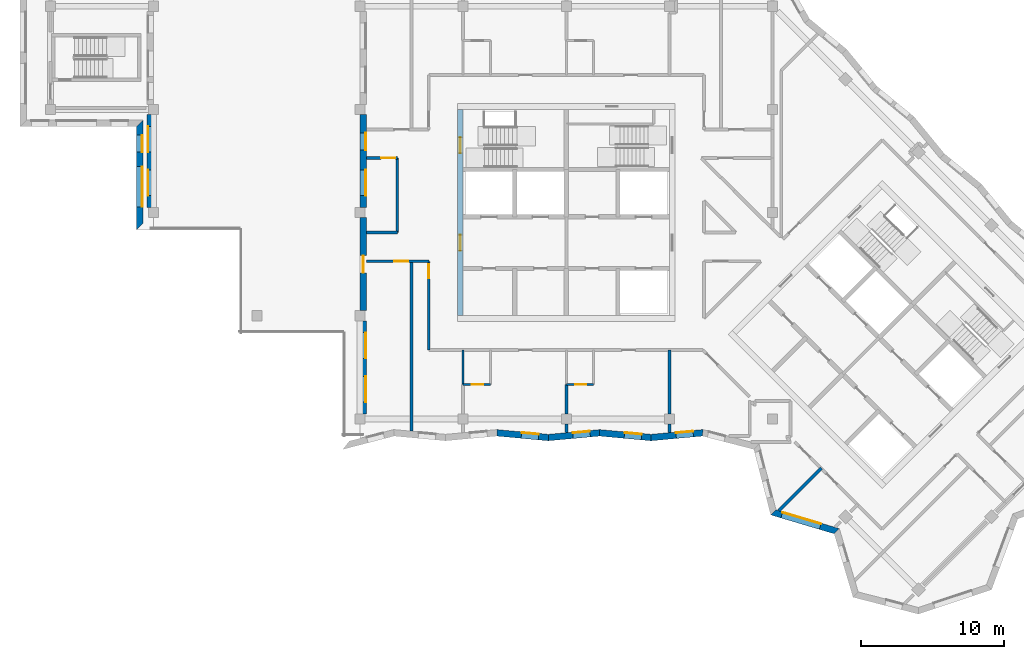
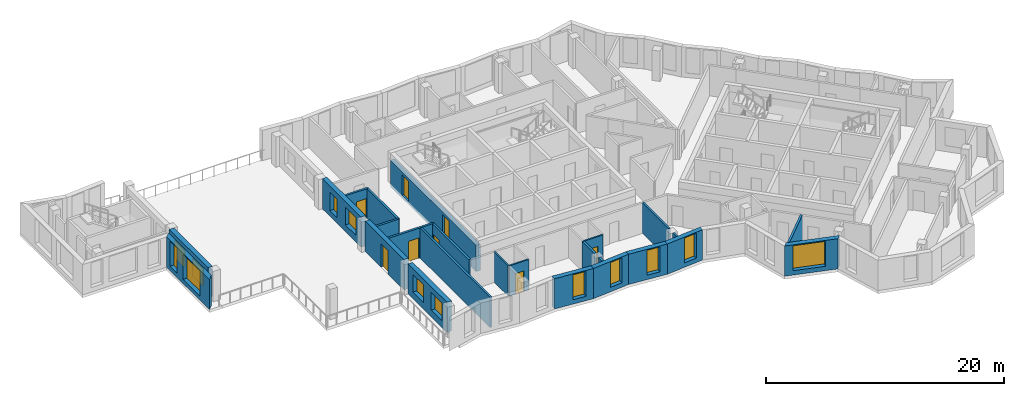
# One storey, part 2 of 12: 25 walls, 13 windows, 8 doors, 21 openings.
"""IFC4 building model written with IfcOpenShell, lengths in metres."""

from ifc_helpers import new_model, si_unit, direction, frame, frame_2d, origin, place, context, subcontext, project, spatial, polyline, rectangle, outline, extrude, material, layer, layer_set, type_object, element, fill, save


model = new_model("IFC4")

# Units and contexts
model_context = context("Model", 3, precision=1e-05, world=origin(), true_north=direction((0.0, 1.0)))
body_context = subcontext(model_context, "Body", "Model", "MODEL_VIEW")
ifc_project = project(units=[si_unit("LENGTHUNIT", "METRE"), si_unit("AREAUNIT", "SQUARE_METRE"), si_unit("VOLUMEUNIT", "CUBIC_METRE"), si_unit("PLANEANGLEUNIT", "RADIAN"), si_unit("MASSUNIT", "GRAM", prefix="KILO")], contexts=[model_context])

# Site, building, storey
site_placement = place(None, origin())
site = spatial("IfcSite", under=ifc_project, at=site_placement, CompositionType="ELEMENT")
building_placement = place(site_placement, origin())
building = spatial("IfcBuilding", under=site, at=building_placement, Name="Windrow Commons", CompositionType="ELEMENT")
storey_placement = place(building_placement, frame((0.0, 0.0, 247.2)))
storey = spatial("IfcBuildingStorey", under=building, at=storey_placement, Name="L67", CompositionType="ELEMENT", Elevation=247.2)

# Wall, openings, windows
ifc_material_1 = material(Name="Brick masonry, red clay brick", Category="masonry")
ifc_layer_1 = layer(ifc_material_1, 0.45)
ifc_layer_set_1 = layer_set([ifc_layer_1], Name="Brick facade wall 450")
wall_type_1 = type_object("IfcWallType", Name="Brick facade wall 450", PredefinedType="SOLIDWALL", material=ifc_layer_set_1)
wall_1_placement = place(storey_placement, frame((35.025, 63.825, 0.0), z_axis=(0.0, 0.0, 1.0), x_axis=(0.0, -1.0, 0.0)))
wall_1 = element("IfcWall", 1, at=wall_1_placement, inside=storey, type_object=wall_type_1, Name="Brick facade wall L67 33", PredefinedType="SOLIDWALL", context=body_context, shape_type="SweptSolid", body=[
    extrude(outline(polyline([(0.225, -0.225), (7.425, -0.225), (6.975, 0.225), (-0.225, 0.225), (0.225, -0.225)])), origin(), (0.0, 0.0, 1.0), 3.1),
])
opening_1_placement = place(wall_1_placement, frame((3.025, 0.0, 0.45)))
opening_1 = element("IfcOpeningElement", 2, at=opening_1_placement, cuts=wall_1, Name="Opening W1V", PredefinedType="OPENING", context=body_context, shape_type="SweptSolid", body=[
    extrude(rectangle(XDim=2.8, YDim=2.55, at=frame_2d((1.4, 1.275))), frame((0.0, 0.235, 0.0), z_axis=(0.0, -1.0, 0.0), x_axis=(1.0, 0.0, 0.0)), (0.0, 0.0, 1.0), 0.47),
])
opening_2_placement = place(wall_1_placement, frame((0.8125, 0.0, 0.45)))
opening_2 = element("IfcOpeningElement", 3, at=opening_2_placement, cuts=wall_1, Name="Opening W7F", PredefinedType="OPENING", context=body_context, shape_type="SweptSolid", body=[
    extrude(rectangle(XDim=1.2, YDim=2.55, at=frame_2d((0.6, 1.275))), frame((0.0, 0.235, 0.0), z_axis=(0.0, -1.0, 0.0), x_axis=(1.0, 0.0, 0.0)), (0.0, 0.0, 1.0), 0.47),
])
ifc_material_2 = material(Name="Clear float glass in anodised aluminium frame", Category="aluminium")
window_type_1 = type_object("IfcWindowType", Name="Window W1V bedroom 2800x2550", PartitioningType="SINGLE_PANEL", PredefinedType="WINDOW", material=ifc_material_2)
window_1_placement = place(opening_1_placement, origin())
window_1 = element("IfcWindow", 4, at=window_1_placement, inside=storey, type_object=window_type_1, Name="Window L67 33.1", OverallHeight=2.55, OverallWidth=2.8, PartitioningType="SINGLE_PANEL", PredefinedType="WINDOW", context=body_context, shape_type="SweptSolid", body=[
    extrude(rectangle(XDim=2.8, YDim=2.55, at=frame_2d((1.4, 1.275))), frame((0.0, 0.205, 0.0), z_axis=(0.0, -1.0, 0.0), x_axis=(1.0, 0.0, 0.0)), (0.0, 0.0, 1.0), 0.06),
])
fill(opening_1, window_1)
ifc_material_3 = material(Name="Clear float glass in anodised aluminium frame", Category="aluminium")
window_type_2 = type_object("IfcWindowType", Name="Window W7 notch 1200x2550", PartitioningType="SINGLE_PANEL", PredefinedType="WINDOW", material=ifc_material_3)
window_2_placement = place(opening_2_placement, origin())
window_2 = element("IfcWindow", 5, at=window_2_placement, inside=storey, type_object=window_type_2, Name="Window L67 33.2", OverallHeight=2.55, OverallWidth=1.2, PartitioningType="SINGLE_PANEL", PredefinedType="WINDOW", context=body_context, shape_type="SweptSolid", body=[
    extrude(rectangle(XDim=1.2, YDim=2.55, at=frame_2d((0.6, 1.275))), frame((0.0, 0.205, 0.0), z_axis=(0.0, -1.0, 0.0), x_axis=(1.0, 0.0, 0.0)), (0.0, 0.0, 1.0), 0.06),
])
fill(opening_2, window_2)

# Wall, opening, window
wall_2_placement = place(storey_placement, frame((59.9572, 42.226, 0.0), z_axis=(0.0, 0.0, 1.0), x_axis=(0.9957917474, -0.0916449443, 0.0)))
wall_2 = element("IfcWall", 6, at=wall_2_placement, inside=storey, type_object=wall_type_1, Name="Brick facade wall L67 41", PredefinedType="SOLIDWALL", context=body_context, shape_type="SweptSolid", body=[
    extrude(outline(polyline([(0.0207, -0.225), (3.6216, -0.225), (3.5802, 0.225), (-0.0207, 0.225), (0.0207, -0.225)])), origin(), (0.0, 0.0, 1.0), 3.1),
])
opening_3_placement = place(wall_2_placement, frame((1.7141, 0.0, 0.45)))
opening_3 = element("IfcOpeningElement", 7, at=opening_3_placement, cuts=wall_2, Name="Opening W7F", PredefinedType="OPENING", context=body_context, shape_type="SweptSolid", body=[
    extrude(rectangle(XDim=1.2, YDim=2.55, at=frame_2d((0.6, 1.275))), frame((0.0, 0.235, 0.0), z_axis=(0.0, -1.0, 0.0), x_axis=(1.0, 0.0, 0.0)), (0.0, 0.0, 1.0), 0.47),
])
window_3_placement = place(opening_3_placement, origin())
window_3 = element("IfcWindow", 8, at=window_3_placement, inside=storey, type_object=window_type_2, Name="Window L67 41.1", OverallHeight=2.55, OverallWidth=1.2, PartitioningType="SINGLE_PANEL", PredefinedType="WINDOW", context=body_context, shape_type="SweptSolid", body=[
    extrude(rectangle(XDim=1.2, YDim=2.55, at=frame_2d((0.6, 1.275))), frame((0.0, 0.205, 0.0), z_axis=(0.0, -1.0, 0.0), x_axis=(1.0, 0.0, 0.0)), (0.0, 0.0, 1.0), 0.06),
])
fill(opening_3, window_3)

wall_3_placement = place(storey_placement, frame((63.5429, 41.896, 0.0), z_axis=(0.0, 0.0, 1.0), x_axis=(0.9957919806, 0.09164241, 0.0)))
wall_3 = element("IfcWall", 9, at=wall_3_placement, inside=storey, type_object=wall_type_1, Name="Brick facade wall L67 42", PredefinedType="SOLIDWALL", context=body_context, shape_type="SweptSolid", body=[
    extrude(outline(polyline([(-0.0207, -0.225), (3.5802, -0.225), (3.6216, 0.225), (0.0207, 0.225), (-0.0207, -0.225)])), origin(), (0.0, 0.0, 1.0), 3.1),
])
opening_4_placement = place(wall_3_placement, frame((1.7316, 0.0, 0.45)))
opening_4 = element("IfcOpeningElement", 10, at=opening_4_placement, cuts=wall_3, Name="Opening W7F", PredefinedType="OPENING", context=body_context, shape_type="SweptSolid", body=[
    extrude(rectangle(XDim=1.2, YDim=2.55, at=frame_2d((0.6, 1.275))), frame((0.0, 0.235, 0.0), z_axis=(0.0, -1.0, 0.0), x_axis=(1.0, 0.0, 0.0)), (0.0, 0.0, 1.0), 0.47),
])
window_4_placement = place(opening_4_placement, origin())
window_4 = element("IfcWindow", 11, at=window_4_placement, inside=storey, type_object=window_type_2, Name="Window L67 42.1", OverallHeight=2.55, OverallWidth=1.2, PartitioningType="SINGLE_PANEL", PredefinedType="WINDOW", context=body_context, shape_type="SweptSolid", body=[
    extrude(rectangle(XDim=1.2, YDim=2.55, at=frame_2d((0.6, 1.275))), frame((0.0, 0.205, 0.0), z_axis=(0.0, -1.0, 0.0), x_axis=(1.0, 0.0, 0.0)), (0.0, 0.0, 1.0), 0.06),
])
fill(opening_4, window_4)

wall_4_placement = place(storey_placement, frame((67.1287, 42.226, 0.0), z_axis=(0.0, 0.0, 1.0), x_axis=(0.9957917474, -0.0916449443, 0.0)))
wall_4 = element("IfcWall", 12, at=wall_4_placement, inside=storey, type_object=wall_type_1, Name="Brick facade wall L67 43", PredefinedType="SOLIDWALL", context=body_context, shape_type="SweptSolid", body=[
    extrude(outline(polyline([(0.0207, -0.225), (3.6216, -0.225), (3.5802, 0.225), (-0.0207, 0.225), (0.0207, -0.225)])), origin(), (0.0, 0.0, 1.0), 3.1),
])
opening_5_placement = place(wall_4_placement, frame((1.7284, 0.0, 0.45)))
opening_5 = element("IfcOpeningElement", 13, at=opening_5_placement, cuts=wall_4, Name="Opening W7F", PredefinedType="OPENING", context=body_context, shape_type="SweptSolid", body=[
    extrude(rectangle(XDim=1.2, YDim=2.55, at=frame_2d((0.6, 1.275))), frame((0.0, 0.235, 0.0), z_axis=(0.0, -1.0, 0.0), x_axis=(1.0, 0.0, 0.0)), (0.0, 0.0, 1.0), 0.47),
])
window_5_placement = place(opening_5_placement, origin())
window_5 = element("IfcWindow", 14, at=window_5_placement, inside=storey, type_object=window_type_2, Name="Window L67 43.1", OverallHeight=2.55, OverallWidth=1.2, PartitioningType="SINGLE_PANEL", PredefinedType="WINDOW", context=body_context, shape_type="SweptSolid", body=[
    extrude(rectangle(XDim=1.2, YDim=2.55, at=frame_2d((0.6, 1.275))), frame((0.0, 0.205, 0.0), z_axis=(0.0, -1.0, 0.0), x_axis=(1.0, 0.0, 0.0)), (0.0, 0.0, 1.0), 0.06),
])
fill(opening_5, window_5)

wall_5_placement = place(storey_placement, frame((70.7144, 41.896, 0.0), z_axis=(0.0, 0.0, 1.0), x_axis=(0.9957918129, 0.0916442329, 0.0)))
wall_5 = element("IfcWall", 15, at=wall_5_placement, inside=storey, type_object=wall_type_1, Name="Brick facade wall L67 44", PredefinedType="SOLIDWALL", context=body_context, shape_type="SweptSolid", body=[
    extrude(outline(polyline([(-0.0207, -0.225), (3.5802, -0.225), (3.6587, 0.225), (0.0207, 0.225), (-0.0207, -0.225)])), origin(), (0.0, 0.0, 1.0), 3.1),
])
opening_6_placement = place(wall_5_placement, frame((1.7552, 0.0, 0.45)))
opening_6 = element("IfcOpeningElement", 16, at=opening_6_placement, cuts=wall_5, Name="Opening W7F", PredefinedType="OPENING", context=body_context, shape_type="SweptSolid", body=[
    extrude(rectangle(XDim=1.2, YDim=2.55, at=frame_2d((0.6, 1.275))), frame((0.0, 0.235, 0.0), z_axis=(0.0, -1.0, 0.0), x_axis=(1.0, 0.0, 0.0)), (0.0, 0.0, 1.0), 0.47),
])
window_6_placement = place(opening_6_placement, origin())
window_6 = element("IfcWindow", 17, at=window_6_placement, inside=storey, type_object=window_type_2, Name="Window L67 44.1", OverallHeight=2.55, OverallWidth=1.2, PartitioningType="SINGLE_PANEL", PredefinedType="WINDOW", context=body_context, shape_type="SweptSolid", body=[
    extrude(rectangle(XDim=1.2, YDim=2.55, at=frame_2d((0.6, 1.275))), frame((0.0, 0.205, 0.0), z_axis=(0.0, -1.0, 0.0), x_axis=(1.0, 0.0, 0.0)), (0.0, 0.0, 1.0), 0.06),
])
fill(opening_6, window_6)

wall_6_placement = place(storey_placement, frame((79.2491, 36.6782, 0.0), z_axis=(0.0, 0.0, 1.0), x_axis=(0.9584470724, -0.2852704146, 0.0)))
wall_6 = element("IfcWall", 18, at=wall_6_placement, inside=storey, type_object=wall_type_1, Name="Brick facade wall L67 47", PredefinedType="SOLIDWALL", context=body_context, shape_type="SweptSolid", body=[
    extrude(outline(polyline([(-0.1273, -0.225), (4.4945, -0.225), (4.7381, 0.225), (0.1273, 0.225), (-0.1273, -0.225)])), origin(), (0.0, 0.0, 1.0), 3.1),
])
opening_7_placement = place(wall_6_placement, frame((0.6161, 0.0, 0.45)))
opening_7 = element("IfcOpeningElement", 19, at=opening_7_placement, cuts=wall_6, Name="Opening W1V", PredefinedType="OPENING", context=body_context, shape_type="SweptSolid", body=[
    extrude(rectangle(XDim=2.8, YDim=2.55, at=frame_2d((1.4, 1.275))), frame((0.0, 0.235, 0.0), z_axis=(0.0, -1.0, 0.0), x_axis=(1.0, 0.0, 0.0)), (0.0, 0.0, 1.0), 0.47),
])
window_7_placement = place(opening_7_placement, origin())
window_7 = element("IfcWindow", 20, at=window_7_placement, inside=storey, type_object=window_type_1, Name="Window L67 47.1", OverallHeight=2.55, OverallWidth=2.8, PartitioningType="SINGLE_PANEL", PredefinedType="WINDOW", context=body_context, shape_type="SweptSolid", body=[
    extrude(rectangle(XDim=2.8, YDim=2.55, at=frame_2d((1.4, 1.275))), frame((0.0, 0.205, 0.0), z_axis=(0.0, -1.0, 0.0), x_axis=(1.0, 0.0, 0.0)), (0.0, 0.0, 1.0), 0.06),
])
fill(opening_7, window_7)

# Wall, openings, windows
wall_7_placement = place(storey_placement, frame((35.775, 57.95, 0.0), z_axis=(0.0, 0.0, 1.0), x_axis=(0.0, 1.0, 0.0)))
wall_7 = element("IfcWall", 21, at=wall_7_placement, inside=storey, type_object=wall_type_1, Name="Brick portal return L67 5", PredefinedType="SOLIDWALL", context=body_context, shape_type="SweptSolid", body=[
    extrude(rectangle(XDim=6.5, YDim=0.45, at=frame_2d((3.25, 0.0))), origin(), (0.0, 0.0, 1.0), 3.1),
])
opening_8_placement = place(wall_7_placement, frame((0.825, 0.0, 0.7)))
opening_8 = element("IfcOpeningElement", 22, at=opening_8_placement, cuts=wall_7, Name="Opening W8", PredefinedType="OPENING", context=body_context, shape_type="SweptSolid", body=[
    extrude(rectangle(XDim=1.8, YDim=1.8, at=frame_2d((0.9, 0.9))), frame((0.0, 0.235, 0.0), z_axis=(0.0, -1.0, 0.0), x_axis=(1.0, 0.0, 0.0)), (0.0, 0.0, 1.0), 0.47),
])
opening_9_placement = place(wall_7_placement, frame((3.875, 0.0, 0.7)))
opening_9 = element("IfcOpeningElement", 23, at=opening_9_placement, cuts=wall_7, Name="Opening W8", PredefinedType="OPENING", context=body_context, shape_type="SweptSolid", body=[
    extrude(rectangle(XDim=1.8, YDim=1.8, at=frame_2d((0.9, 0.9))), frame((0.0, 0.235, 0.0), z_axis=(0.0, -1.0, 0.0), x_axis=(1.0, 0.0, 0.0)), (0.0, 0.0, 1.0), 0.47),
])
ifc_material_4 = material(Name="Clear float glass in anodised aluminium frame", Category="aluminium")
window_type_3 = type_object("IfcWindowType", Name="Window W8 portal 1800x1800", PartitioningType="SINGLE_PANEL", PredefinedType="WINDOW", material=ifc_material_4)
window_8_placement = place(opening_8_placement, origin())
window_8 = element("IfcWindow", 24, at=window_8_placement, inside=storey, type_object=window_type_3, Name="Window L67 portal 5.1.1", OverallHeight=1.8, OverallWidth=1.8, PartitioningType="SINGLE_PANEL", PredefinedType="WINDOW", context=body_context, shape_type="SweptSolid", body=[
    extrude(rectangle(XDim=1.8, YDim=1.8, at=frame_2d((0.9, 0.9))), frame((0.0, 0.205, 0.0), z_axis=(0.0, -1.0, 0.0), x_axis=(1.0, 0.0, 0.0)), (0.0, 0.0, 1.0), 0.06),
])
fill(opening_8, window_8)
window_9_placement = place(opening_9_placement, origin())
window_9 = element("IfcWindow", 25, at=window_9_placement, inside=storey, type_object=window_type_3, Name="Window L67 portal 5.1.2", OverallHeight=1.8, OverallWidth=1.8, PartitioningType="SINGLE_PANEL", PredefinedType="WINDOW", context=body_context, shape_type="SweptSolid", body=[
    extrude(rectangle(XDim=1.8, YDim=1.8, at=frame_2d((0.9, 0.9))), frame((0.0, 0.205, 0.0), z_axis=(0.0, -1.0, 0.0), x_axis=(1.0, 0.0, 0.0)), (0.0, 0.0, 1.0), 0.06),
])
fill(opening_9, window_9)

wall_8_placement = place(storey_placement, frame((50.625, 64.45, 0.0), z_axis=(0.0, 0.0, 1.0), x_axis=(0.0, -1.0, 0.0)))
wall_8 = element("IfcWall", 26, at=wall_8_placement, inside=storey, type_object=wall_type_1, Name="Brick portal return L67 13.2", PredefinedType="SOLIDWALL", context=body_context, shape_type="SweptSolid", body=[
    extrude(rectangle(XDim=6.5, YDim=0.45, at=frame_2d((3.25, 0.0))), origin(), (0.0, 0.0, 1.0), 3.1),
])
opening_10_placement = place(wall_8_placement, frame((3.875, 0.0, 0.7)))
opening_10 = element("IfcOpeningElement", 27, at=opening_10_placement, cuts=wall_8, Name="Opening W8", PredefinedType="OPENING", context=body_context, shape_type="SweptSolid", body=[
    extrude(rectangle(XDim=1.8, YDim=1.8, at=frame_2d((0.9, 0.9))), frame((0.0, 0.235, 0.0), z_axis=(0.0, -1.0, 0.0), x_axis=(1.0, 0.0, 0.0)), (0.0, 0.0, 1.0), 0.47),
])
opening_11_placement = place(wall_8_placement, frame((1.2875, 0.0, 0.6)))
opening_11 = element("IfcOpeningElement", 28, at=opening_11_placement, cuts=wall_8, Name="Opening W7G", PredefinedType="OPENING", context=body_context, shape_type="SweptSolid", body=[
    extrude(rectangle(XDim=1.2, YDim=1.9, at=frame_2d((0.6, 0.95))), frame((0.0, 0.235, 0.0), z_axis=(0.0, -1.0, 0.0), x_axis=(1.0, 0.0, 0.0)), (0.0, 0.0, 1.0), 0.47),
])
ifc_material_5 = material(Name="Clear float glass in anodised aluminium frame", Category="aluminium")
window_type_4 = type_object("IfcWindowType", Name="Window W7 notch 1200x1900", PartitioningType="SINGLE_PANEL", PredefinedType="WINDOW", material=ifc_material_5)
window_10_placement = place(opening_11_placement, origin())
window_10 = element("IfcWindow", 29, at=window_10_placement, inside=storey, type_object=window_type_4, Name="Window L67 portal 13.2.1A", OverallHeight=1.9, OverallWidth=1.2, PartitioningType="SINGLE_PANEL", PredefinedType="WINDOW", context=body_context, shape_type="SweptSolid", body=[
    extrude(rectangle(XDim=1.2, YDim=1.9, at=frame_2d((0.6, 0.95))), frame((0.0, 0.205, 0.0), z_axis=(0.0, -1.0, 0.0), x_axis=(1.0, 0.0, 0.0)), (0.0, 0.0, 1.0), 0.06),
])
fill(opening_11, window_10)
window_11_placement = place(opening_10_placement, origin())
window_11 = element("IfcWindow", 30, at=window_11_placement, inside=storey, type_object=window_type_3, Name="Window L67 portal 13.2.2", OverallHeight=1.8, OverallWidth=1.8, PartitioningType="SINGLE_PANEL", PredefinedType="WINDOW", context=body_context, shape_type="SweptSolid", body=[
    extrude(rectangle(XDim=1.8, YDim=1.8, at=frame_2d((0.9, 0.9))), frame((0.0, 0.205, 0.0), z_axis=(0.0, -1.0, 0.0), x_axis=(1.0, 0.0, 0.0)), (0.0, 0.0, 1.0), 0.06),
])
fill(opening_10, window_11)

# Wall, opening, door
wall_9_placement = place(storey_placement, frame((50.625, 57.25, 0.0), z_axis=(0.0, 0.0, 1.0), x_axis=(0.0, -1.0, 0.0)))
wall_9 = element("IfcWall", 31, at=wall_9_placement, inside=storey, type_object=wall_type_1, Name="Brick portal return L67 13.3", PredefinedType="SOLIDWALL", context=body_context, shape_type="SweptSolid", body=[
    extrude(rectangle(XDim=6.5, YDim=0.45, at=frame_2d((3.25, 0.0))), origin(), (0.0, 0.0, 1.0), 3.1),
])
opening_12_placement = place(wall_9_placement, frame((2.65, 0.0, 0.0)))
opening_12 = element("IfcOpeningElement", 32, at=opening_12_placement, cuts=wall_9, Name="Opening TD7", PredefinedType="OPENING", context=body_context, shape_type="SweptSolid", body=[
    extrude(rectangle(XDim=1.2, YDim=2.4, at=frame_2d((0.6, 1.2))), frame((0.0, 0.235, 0.0), z_axis=(0.0, -1.0, 0.0), x_axis=(1.0, 0.0, 0.0)), (0.0, 0.0, 1.0), 0.47),
])
ifc_material_6 = material(Name="Aluminium 6063-T6 anodised frame with clear glass", Category="aluminium")
door_type_1 = type_object("IfcDoorType", Name="Terrace door TD7 1200x2400", OperationType="SINGLE_SWING_LEFT", PredefinedType="DOOR", material=ifc_material_6)
door_1_placement = place(opening_12_placement, origin())
door_1 = element("IfcDoor", 33, at=door_1_placement, inside=storey, type_object=door_type_1, Name="Terrace door L67 portal", OperationType="SINGLE_SWING_LEFT", OverallHeight=2.4, OverallWidth=1.2, PredefinedType="DOOR", context=body_context, shape_type="SweptSolid", body=[
    extrude(rectangle(XDim=1.2, YDim=2.4, at=frame_2d((0.6, 1.2))), frame((0.0, 0.025, 0.0), z_axis=(0.0, -1.0, 0.0), x_axis=(1.0, 0.0, 0.0)), (0.0, 0.0, 1.0), 0.05),
])
fill(opening_12, door_1)

# Wall, openings, windows
wall_10_placement = place(storey_placement, frame((50.625, 50.05, 0.0), z_axis=(0.0, 0.0, 1.0), x_axis=(0.0, -1.0, 0.0)))
wall_10 = element("IfcWall", 34, at=wall_10_placement, inside=storey, type_object=wall_type_1, Name="Brick portal return L67 13.4", PredefinedType="SOLIDWALL", context=body_context, shape_type="SweptSolid", body=[
    extrude(rectangle(XDim=6.5, YDim=0.45, at=frame_2d((3.25, 0.0))), origin(), (0.0, 0.0, 1.0), 3.1),
])
opening_13_placement = place(wall_10_placement, frame((0.825, 0.0, 0.7)))
opening_13 = element("IfcOpeningElement", 35, at=opening_13_placement, cuts=wall_10, Name="Opening W8", PredefinedType="OPENING", context=body_context, shape_type="SweptSolid", body=[
    extrude(rectangle(XDim=1.8, YDim=1.8, at=frame_2d((0.9, 0.9))), frame((0.0, 0.235, 0.0), z_axis=(0.0, -1.0, 0.0), x_axis=(1.0, 0.0, 0.0)), (0.0, 0.0, 1.0), 0.47),
])
opening_14_placement = place(wall_10_placement, frame((3.875, 0.0, 0.7)))
opening_14 = element("IfcOpeningElement", 36, at=opening_14_placement, cuts=wall_10, Name="Opening W8", PredefinedType="OPENING", context=body_context, shape_type="SweptSolid", body=[
    extrude(rectangle(XDim=1.8, YDim=1.8, at=frame_2d((0.9, 0.9))), frame((0.0, 0.235, 0.0), z_axis=(0.0, -1.0, 0.0), x_axis=(1.0, 0.0, 0.0)), (0.0, 0.0, 1.0), 0.47),
])
window_12_placement = place(opening_13_placement, origin())
window_12 = element("IfcWindow", 37, at=window_12_placement, inside=storey, type_object=window_type_3, Name="Window L67 portal 13.4.1", OverallHeight=1.8, OverallWidth=1.8, PartitioningType="SINGLE_PANEL", PredefinedType="WINDOW", context=body_context, shape_type="SweptSolid", body=[
    extrude(rectangle(XDim=1.8, YDim=1.8, at=frame_2d((0.9, 0.9))), frame((0.0, 0.205, 0.0), z_axis=(0.0, -1.0, 0.0), x_axis=(1.0, 0.0, 0.0)), (0.0, 0.0, 1.0), 0.06),
])
fill(opening_13, window_12)
window_13_placement = place(opening_14_placement, origin())
window_13 = element("IfcWindow", 38, at=window_13_placement, inside=storey, type_object=window_type_3, Name="Window L67 portal 13.4.2", OverallHeight=1.8, OverallWidth=1.8, PartitioningType="SINGLE_PANEL", PredefinedType="WINDOW", context=body_context, shape_type="SweptSolid", body=[
    extrude(rectangle(XDim=1.8, YDim=1.8, at=frame_2d((0.9, 0.9))), frame((0.0, 0.205, 0.0), z_axis=(0.0, -1.0, 0.0), x_axis=(1.0, 0.0, 0.0)), (0.0, 0.0, 1.0), 0.06),
])
fill(opening_14, window_13)

# Wall, opening, door
ifc_material_7 = material(Name="Blockwork partition", Category="masonry")
ifc_layer_2 = layer(ifc_material_7, 0.2)
ifc_layer_set_2 = layer_set([ifc_layer_2], Name="IW-CORRIDOR-200")
wall_type_2 = type_object("IfcWallType", Name="IW-CORRIDOR-200", PredefinedType="PARTITIONING", material=ifc_layer_set_2)
wall_11_placement = place(storey_placement, frame((55.2, 48.0, 0.0), z_axis=(0.0, 0.0, 1.0), x_axis=(0.0, 1.0, 0.0)))
wall_11 = element("IfcWall", 39, at=wall_11_placement, inside=storey, type_object=wall_type_2, Name="W-L67-W016", PredefinedType="PARTITIONING", context=body_context, shape_type="SweptSolid", body=[
    extrude(rectangle(XDim=6.2, YDim=0.2, at=frame_2d((3.1, 0.0))), origin(), (0.0, 0.0, 1.0), 3.1),
])
opening_15_placement = place(wall_11_placement, frame((5.0061, 0.0, 0.0)))
opening_15 = element("IfcOpeningElement", 40, at=opening_15_placement, cuts=wall_11, Name="Opening D310F", PredefinedType="OPENING", context=body_context, shape_type="SweptSolid", body=[
    extrude(rectangle(XDim=1.0, YDim=2.1, at=frame_2d((0.5, 1.05))), frame((0.0, 0.11, 0.0), z_axis=(0.0, -1.0, 0.0), x_axis=(1.0, 0.0, 0.0)), (0.0, 0.0, 1.0), 0.22),
])
ifc_material_8 = material(Name="Timber door leaf", Category="wood")
door_type_2 = type_object("IfcDoorType", Name="DT-AMENITY-1000", OperationType="SINGLE_SWING_LEFT", PredefinedType="DOOR", material=ifc_material_8)
door_2_placement = place(opening_15_placement, origin())
door_2 = element("IfcDoor", 41, at=door_2_placement, inside=storey, type_object=door_type_2, Name="D-L67-D001", OperationType="SINGLE_SWING_RIGHT", OverallHeight=2.1, OverallWidth=1.0, PredefinedType="DOOR", context=body_context, shape_type="SweptSolid", body=[
    extrude(rectangle(XDim=1.0, YDim=2.1, at=frame_2d((0.5, 1.05))), frame((0.0, 0.025, 0.0), z_axis=(0.0, -1.0, 0.0), x_axis=(1.0, 0.0, 0.0)), (0.0, 0.0, 1.0), 0.05),
])
fill(opening_15, door_2)

# Wall
wall_12_placement = place(storey_placement, frame((53.0, 56.202, 0.0), z_axis=(0.0, 0.0, 1.0), x_axis=(0.0, 1.0, 0.0)))
element("IfcWall", 42, at=wall_12_placement, inside=storey, type_object=wall_type_2, Name="W-L67-W018", PredefinedType="PARTITIONING", context=body_context, shape_type="SweptSolid", body=[
    extrude(rectangle(XDim=5.198, YDim=0.2, at=frame_2d((2.599, 0.0))), origin(), (0.0, 0.0, 1.0), 3.1),
])

# Wall, opening, door
wall_13_placement = place(storey_placement, frame((50.85, 54.2, 0.0), z_axis=(0.0, 0.0, 1.0), x_axis=(1.0, 0.0, 0.0)))
wall_13 = element("IfcWall", 43, at=wall_13_placement, inside=storey, type_object=wall_type_2, Name="W-L67-W027", PredefinedType="PARTITIONING", context=body_context, shape_type="SweptSolid", body=[
    extrude(rectangle(XDim=4.35, YDim=0.2, at=frame_2d((2.175, 0.0))), origin(), (0.0, 0.0, 1.0), 3.1),
])
opening_16_placement = place(wall_13_placement, frame((1.9314, 0.0, 0.0)))
opening_16 = element("IfcOpeningElement", 44, at=opening_16_placement, cuts=wall_13, Name="Opening D310F", PredefinedType="OPENING", context=body_context, shape_type="SweptSolid", body=[
    extrude(rectangle(XDim=1.0, YDim=2.1, at=frame_2d((0.5, 1.05))), frame((0.0, 0.11, 0.0), z_axis=(0.0, -1.0, 0.0), x_axis=(1.0, 0.0, 0.0)), (0.0, 0.0, 1.0), 0.22),
])
door_3_placement = place(opening_16_placement, origin())
door_3 = element("IfcDoor", 45, at=door_3_placement, inside=storey, type_object=door_type_2, Name="D-L67-D000", OperationType="SINGLE_SWING_LEFT", OverallHeight=2.1, OverallWidth=1.0, PredefinedType="DOOR", context=body_context, shape_type="SweptSolid", body=[
    extrude(rectangle(XDim=1.0, YDim=2.1, at=frame_2d((0.5, 1.05))), frame((0.0, 0.025, 0.0), z_axis=(0.0, -1.0, 0.0), x_axis=(1.0, 0.0, 0.0)), (0.0, 0.0, 1.0), 0.05),
])
fill(opening_16, door_3)

# Wall
wall_14_placement = place(storey_placement, frame((50.85, 56.2, 0.0), z_axis=(0.0, 0.0, 1.0), x_axis=(1.0, 0.0, 0.0)))
element("IfcWall", 46, at=wall_14_placement, inside=storey, type_object=wall_type_2, Name="W-L67-W058", PredefinedType="PARTITIONING", context=body_context, shape_type="SweptSolid", body=[
    extrude(rectangle(XDim=2.15, YDim=0.2, at=frame_2d((1.075, 0.0))), origin(), (0.0, 0.0, 1.0), 3.1),
])

# Wall, opening, door
wall_15_placement = place(storey_placement, frame((50.85, 61.4, 0.0), z_axis=(0.0, 0.0, 1.0), x_axis=(1.0, 0.0, 0.0)))
wall_15 = element("IfcWall", 47, at=wall_15_placement, inside=storey, type_object=wall_type_2, Name="W-L67-W059", PredefinedType="PARTITIONING", context=body_context, shape_type="SweptSolid", body=[
    extrude(rectangle(XDim=2.15, YDim=0.2, at=frame_2d((1.075, 0.0))), origin(), (0.0, 0.0, 1.0), 3.1),
])
opening_17_placement = place(wall_15_placement, frame((1.0186, 0.0, 0.0)))
opening_17 = element("IfcOpeningElement", 48, at=opening_17_placement, cuts=wall_15, Name="Opening D410F", PredefinedType="OPENING", context=body_context, shape_type="SweptSolid", body=[
    extrude(rectangle(XDim=1.0, YDim=2.1, at=frame_2d((0.5, 1.05))), frame((0.0, 0.11, 0.0), z_axis=(0.0, -1.0, 0.0), x_axis=(1.0, 0.0, 0.0)), (0.0, 0.0, 1.0), 0.22),
])
ifc_material_9 = material(Name="Timber door leaf", Category="wood")
door_type_3 = type_object("IfcDoorType", Name="DT-SERVICE-1000", OperationType="SINGLE_SWING_LEFT", PredefinedType="DOOR", material=ifc_material_9)
door_4_placement = place(opening_17_placement, origin())
door_4 = element("IfcDoor", 49, at=door_4_placement, inside=storey, type_object=door_type_3, Name="D-L67-D008", OperationType="SINGLE_SWING_LEFT", OverallHeight=2.1, OverallWidth=1.0, PredefinedType="DOOR", context=body_context, shape_type="SweptSolid", body=[
    extrude(rectangle(XDim=1.0, YDim=2.1, at=frame_2d((0.5, 1.05))), frame((0.0, 0.025, 0.0), z_axis=(0.0, -1.0, 0.0), x_axis=(1.0, 0.0, 0.0)), (0.0, 0.0, 1.0), 0.05),
])
fill(opening_17, door_4)

# Wall
ifc_material_10 = material(Name="Blockwork partition", Category="masonry")
ifc_layer_3 = layer(ifc_material_10, 0.15)
ifc_layer_set_3 = layer_set([ifc_layer_3], Name="IW-ENSUITE-150")
wall_type_3 = type_object("IfcWallType", Name="IW-ENSUITE-150", PredefinedType="PARTITIONING", material=ifc_layer_set_3)
wall_16_placement = place(storey_placement, frame((57.6, 45.6, 0.0), z_axis=(0.0, 0.0, 1.0), x_axis=(0.0, 1.0, 0.0)))
element("IfcWall", 50, at=wall_16_placement, inside=storey, type_object=wall_type_3, Name="W-L67-W046", PredefinedType="PARTITIONING", context=body_context, shape_type="SweptSolid", body=[
    extrude(rectangle(XDim=2.4, YDim=0.15, at=frame_2d((1.2, 0.0))), origin(), (0.0, 0.0, 1.0), 3.1),
])

# Wall, opening, door
wall_17_placement = place(storey_placement, frame((64.8, 45.6, 0.0), z_axis=(0.0, 0.0, 1.0), x_axis=(1.0, 0.0, 0.0)))
wall_17 = element("IfcWall", 51, at=wall_17_placement, inside=storey, type_object=wall_type_3, Name="W-L67-W069", PredefinedType="PARTITIONING", context=body_context, shape_type="SweptSolid", body=[
    extrude(rectangle(XDim=1.9, YDim=0.15, at=frame_2d((0.95, 0.0))), origin(), (0.0, 0.0, 1.0), 3.1),
])
opening_18_placement = place(wall_17_placement, frame((0.6069, 0.0, 0.0)))
opening_18 = element("IfcOpeningElement", 52, at=opening_18_placement, cuts=wall_17, Name="Opening D208N", PredefinedType="OPENING", context=body_context, shape_type="SweptSolid", body=[
    extrude(rectangle(XDim=0.8, YDim=2.1, at=frame_2d((0.4, 1.05))), frame((0.0, 0.085, 0.0), z_axis=(0.0, -1.0, 0.0), x_axis=(1.0, 0.0, 0.0)), (0.0, 0.0, 1.0), 0.17),
])
ifc_material_11 = material(Name="Timber door leaf", Category="wood")
door_type_4 = type_object("IfcDoorType", Name="DT-ENSUITE-800", OperationType="SINGLE_SWING_LEFT", PredefinedType="DOOR", material=ifc_material_11)
door_5_placement = place(opening_18_placement, origin())
door_5 = element("IfcDoor", 53, at=door_5_placement, inside=storey, type_object=door_type_4, Name="D-L67-D005", OperationType="SINGLE_SWING_RIGHT", OverallHeight=2.1, OverallWidth=0.8, PredefinedType="DOOR", context=body_context, shape_type="SweptSolid", body=[
    extrude(rectangle(XDim=0.8, YDim=2.1, at=frame_2d((0.4, 1.05))), frame((0.0, 0.025, 0.0), z_axis=(0.0, -1.0, 0.0), x_axis=(1.0, 0.0, 0.0)), (0.0, 0.0, 1.0), 0.05),
])
fill(opening_18, door_5)

wall_18_placement = place(storey_placement, frame((57.6, 45.6, 0.0), z_axis=(0.0, 0.0, 1.0), x_axis=(1.0, 0.0, 0.0)))
wall_18 = element("IfcWall", 54, at=wall_18_placement, inside=storey, type_object=wall_type_3, Name="W-L67-W071", PredefinedType="PARTITIONING", context=body_context, shape_type="SweptSolid", body=[
    extrude(rectangle(XDim=1.9, YDim=0.15, at=frame_2d((0.95, 0.0))), origin(), (0.0, 0.0, 1.0), 3.1),
])
opening_19_placement = place(wall_18_placement, frame((0.6069, 0.0, 0.0)))
opening_19 = element("IfcOpeningElement", 55, at=opening_19_placement, cuts=wall_18, Name="Opening D208N", PredefinedType="OPENING", context=body_context, shape_type="SweptSolid", body=[
    extrude(rectangle(XDim=0.8, YDim=2.1, at=frame_2d((0.4, 1.05))), frame((0.0, 0.085, 0.0), z_axis=(0.0, -1.0, 0.0), x_axis=(1.0, 0.0, 0.0)), (0.0, 0.0, 1.0), 0.17),
])
door_6_placement = place(opening_19_placement, origin())
door_6 = element("IfcDoor", 56, at=door_6_placement, inside=storey, type_object=door_type_4, Name="D-L67-D003", OperationType="SINGLE_SWING_RIGHT", OverallHeight=2.1, OverallWidth=0.8, PredefinedType="DOOR", context=body_context, shape_type="SweptSolid", body=[
    extrude(rectangle(XDim=0.8, YDim=2.1, at=frame_2d((0.4, 1.05))), frame((0.0, 0.025, 0.0), z_axis=(0.0, -1.0, 0.0), x_axis=(1.0, 0.0, 0.0)), (0.0, 0.0, 1.0), 0.05),
])
fill(opening_19, door_6)

# Walls
ifc_material_12 = material(Name="Blockwork partition", Category="masonry")
ifc_layer_4 = layer(ifc_material_12, 0.2)
ifc_layer_set_4 = layer_set([ifc_layer_4], Name="IW-PARTY-200")
wall_type_4 = type_object("IfcWallType", Name="IW-PARTY-200", PredefinedType="PARTITIONING", material=ifc_layer_set_4)
wall_19_placement = place(storey_placement, frame((54.0, 42.3402, 0.0), z_axis=(0.0, 0.0, 1.0), x_axis=(0.0, 1.0, 0.0)))
element("IfcWall", 57, at=wall_19_placement, inside=storey, type_object=wall_type_4, Name="W-L67-W002", PredefinedType="PARTITIONING", context=body_context, shape_type="SweptSolid", body=[
    extrude(rectangle(XDim=11.8598, YDim=0.2, at=frame_2d((5.9299, 0.0))), origin(), (0.0, 0.0, 1.0), 3.1),
])
wall_20_placement = place(storey_placement, frame((72.0, 43.55, 0.0), z_axis=(0.0, 0.0, 1.0), x_axis=(0.0, 1.0, 0.0)))
element("IfcWall", 58, at=wall_20_placement, inside=storey, type_object=wall_type_4, Name="W-L67-W025", PredefinedType="PARTITIONING", context=body_context, shape_type="SweptSolid", body=[
    extrude(rectangle(XDim=4.45, YDim=0.2, at=frame_2d((2.225, 0.0))), origin(), (0.0, 0.0, 1.0), 3.1),
])
wall_21_placement = place(storey_placement, frame((79.6347, 36.7982, 0.0), z_axis=(0.0, 0.0, 1.0), x_axis=(0.7071187313, 0.7070948309, 0.0)))
element("IfcWall", 59, at=wall_21_placement, inside=storey, type_object=wall_type_4, Name="W-L67-W029", PredefinedType="PARTITIONING", context=body_context, shape_type="SweptSolid", body=[
    extrude(rectangle(XDim=4.184, YDim=0.2, at=frame_2d((2.092, 0.0))), origin(), (0.0, 0.0, 1.0), 3.1),
])
wall_22_placement = place(storey_placement, frame((64.8, 43.55, 0.0), z_axis=(0.0, 0.0, 1.0), x_axis=(0.0, 1.0, 0.0)))
element("IfcWall", 60, at=wall_22_placement, inside=storey, type_object=wall_type_4, Name="W-L67-W063", PredefinedType="PARTITIONING", context=body_context, shape_type="SweptSolid", body=[
    extrude(rectangle(XDim=2.05, YDim=0.2, at=frame_2d((1.025, 0.0))), origin(), (0.0, 0.0, 1.0), 3.1),
])
wall_23_placement = place(storey_placement, frame((64.8, 42.2376, 0.0), z_axis=(0.0, 0.0, 1.0), x_axis=(0.0, 1.0, 0.0)))
element("IfcWall", 61, at=wall_23_placement, inside=storey, type_object=wall_type_4, Name="W-L67-W091", PredefinedType="PARTITIONING", context=body_context, shape_type="SweptSolid", body=[
    extrude(rectangle(XDim=0.6124, YDim=0.2, at=frame_2d((0.3062, 0.0))), origin(), (0.0, 0.0, 1.0), 3.1),
])
wall_24_placement = place(storey_placement, frame((72.0, 42.2402, 0.0), z_axis=(0.0, 0.0, 1.0), x_axis=(0.0, 1.0, 0.0)))
element("IfcWall", 62, at=wall_24_placement, inside=storey, type_object=wall_type_4, Name="W-L67-W092", PredefinedType="PARTITIONING", context=body_context, shape_type="SweptSolid", body=[
    extrude(rectangle(XDim=0.6098, YDim=0.2, at=frame_2d((0.3049, 0.0))), origin(), (0.0, 0.0, 1.0), 3.1),
])

# Wall, openings, doors
ifc_material_13 = material(Name="Concrete C40/50", Category="concrete")
ifc_layer_5 = layer(ifc_material_13, 0.4)
ifc_layer_set_5 = layer_set([ifc_layer_5], Name="RC CORE WALL 400 C40/50")
wall_type_5 = type_object("IfcWallType", Name="RC CORE WALL 400 C40/50", PredefinedType="SHEAR", material=ifc_layer_set_5)
wall_25_placement = place(storey_placement, frame((57.4, 50.4, -0.3), z_axis=(0.0, 0.0, 1.0), x_axis=(0.0, 1.0, 0.0)))
wall_25 = element("IfcWall", 63, at=wall_25_placement, inside=storey, type_object=wall_type_5, Name="Core A wall outer-W", PredefinedType="SHEAR", context=body_context, shape_type="SweptSolid", body=[
    extrude(rectangle(XDim=14.4, YDim=0.4, at=frame_2d((7.2, 0.0))), origin(), (0.0, 0.0, 1.0), 2.7),
])
opening_20_placement = place(wall_25_placement, frame((4.55, 0.0, 0.3)))
opening_20 = element("IfcOpeningElement", 64, at=opening_20_placement, cuts=wall_25, Name="Opening D6", PredefinedType="OPENING", context=body_context, shape_type="SweptSolid", body=[
    extrude(rectangle(XDim=1.1, YDim=2.1, at=frame_2d((0.55, 1.05))), frame((0.0, 0.21, 0.0), z_axis=(0.0, -1.0, 0.0), x_axis=(1.0, 0.0, 0.0)), (0.0, 0.0, 1.0), 0.42),
])
opening_21_placement = place(wall_25_placement, frame((11.35, 0.0, 0.3)))
opening_21 = element("IfcOpeningElement", 65, at=opening_21_placement, cuts=wall_25, Name="Opening D7", PredefinedType="OPENING", context=body_context, shape_type="SweptSolid", body=[
    extrude(rectangle(XDim=1.1, YDim=2.1, at=frame_2d((0.55, 1.05))), frame((0.0, 0.21, 0.0), z_axis=(0.0, -1.0, 0.0), x_axis=(1.0, 0.0, 0.0)), (0.0, 0.0, 1.0), 0.42),
])
ifc_material_14 = material(Name="Steel fire door leaf", Category="steel")
door_type_5 = type_object("IfcDoorType", Name="Core lobby door 1100", OperationType="SINGLE_SWING_LEFT", PredefinedType="DOOR", material=ifc_material_14)
door_7_placement = place(opening_20_placement, origin())
door_7 = element("IfcDoor", 66, at=door_7_placement, inside=storey, type_object=door_type_5, Name="Lift lobby door", OperationType="DOUBLE_DOOR_SINGLE_SWING", OverallHeight=2.1, OverallWidth=1.1, PredefinedType="DOOR", context=body_context, shape_type="SweptSolid", body=[
    extrude(rectangle(XDim=1.1, YDim=2.1, at=frame_2d((0.55, 1.05))), frame((0.0, 0.025, 0.0), z_axis=(0.0, -1.0, 0.0), x_axis=(1.0, 0.0, 0.0)), (0.0, 0.0, 1.0), 0.05),
])
fill(opening_20, door_7)
ifc_material_15 = material(Name="Steel fire door leaf", Category="steel")
door_type_6 = type_object("IfcDoorType", Name="Stair door 1100", OperationType="SINGLE_SWING_LEFT", PredefinedType="DOOR", material=ifc_material_15)
door_8_placement = place(opening_21_placement, origin())
door_8 = element("IfcDoor", 67, at=door_8_placement, inside=storey, type_object=door_type_6, Name="Stair door", OperationType="SINGLE_SWING_LEFT", OverallHeight=2.1, OverallWidth=1.1, PredefinedType="DOOR", context=body_context, shape_type="SweptSolid", body=[
    extrude(rectangle(XDim=1.1, YDim=2.1, at=frame_2d((0.55, 1.05))), frame((0.0, 0.025, 0.0), z_axis=(0.0, -1.0, 0.0), x_axis=(1.0, 0.0, 0.0)), (0.0, 0.0, 1.0), 0.05),
])
fill(opening_21, door_8)

save(model, "model.ifc")
